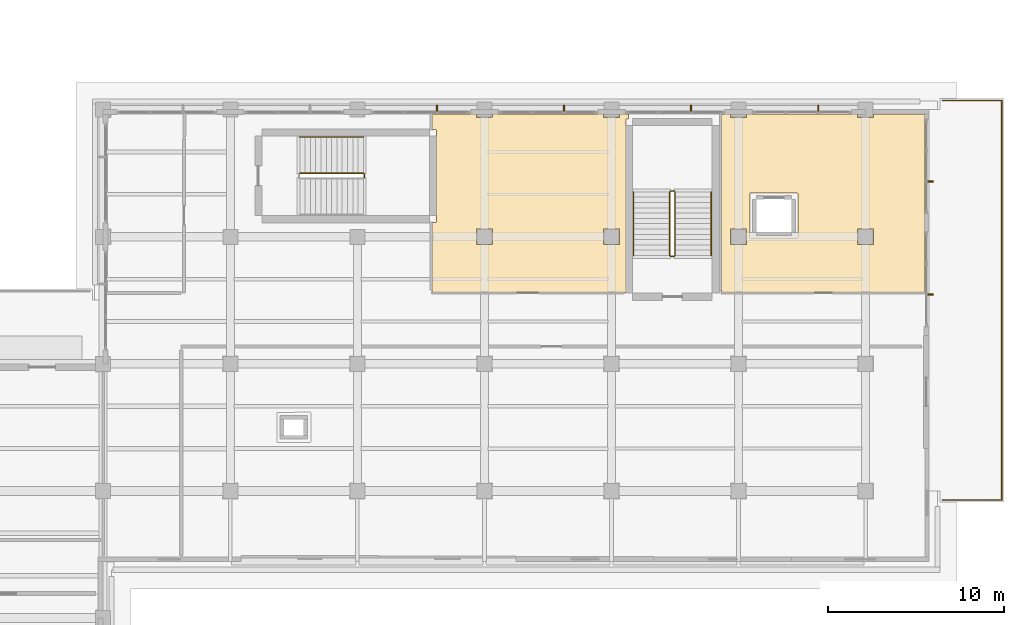
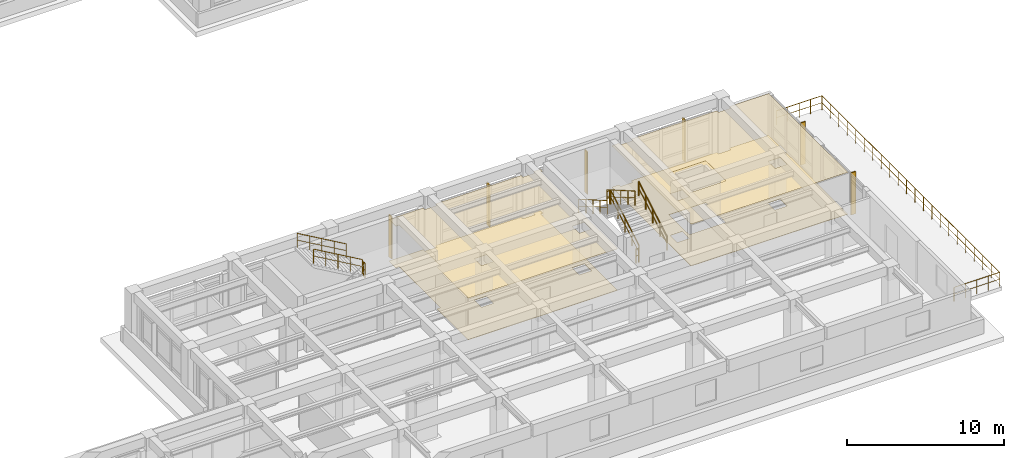
# One storey, part 97 of 98: 12 railings, 6 shading devices, 4 coverings.
"""IFC4 building model written with IfcOpenShell, lengths in metres."""

from ifc_helpers import new_model, si_unit, direction, frame, origin, origin_2d, place, context, subcontext, project, spatial, polyline, rectangle, circle, outline, extrude, material, layer, layer_set, material_profile, profile_set, type_object, element, save


model = new_model("IFC4")

# Units and contexts
model_context = context("Model", 3, precision=1e-05, world=origin(), true_north=direction((0.0, 1.0)))
body_context = subcontext(model_context, "Body", "Model", "MODEL_VIEW")
ifc_project = project(units=[si_unit("LENGTHUNIT", "METRE"), si_unit("AREAUNIT", "SQUARE_METRE"), si_unit("VOLUMEUNIT", "CUBIC_METRE"), si_unit("PLANEANGLEUNIT", "RADIAN"), si_unit("MASSUNIT", "GRAM", prefix="KILO")], contexts=[model_context])

# Site, building, storey
site_placement = place(None, origin())
site = spatial("IfcSite", under=ifc_project, at=site_placement, CompositionType="ELEMENT")
building_placement = place(site_placement, origin())
building = spatial("IfcBuilding", under=site, at=building_placement, Name="Solenvale Faculty of Natural Sciences", CompositionType="ELEMENT")
storey_placement = place(building_placement, frame((0.0, 0.0, 9.0)))
storey = spatial("IfcBuildingStorey", under=building, at=storey_placement, Name="L02", CompositionType="ELEMENT", Elevation=9.0)

# Coverings
ifc_material_1 = material(Name="Acoustic mineral-timber ceiling", Category="wood")
ifc_layer_1 = layer(ifc_material_1, 0.02490234375)
ifc_layer_set_1 = layer_set([ifc_layer_1], Name="Acoustic mineral-timber ceiling")
covering_type_1 = type_object("IfcCoveringType", Name="COV-CEIL-AC25", PredefinedType="CEILING", material=ifc_layer_set_1)
covering_1_placement = place(storey_placement, frame((0.0, 0.0, 3.235107421875)))
element("IfcCovering", 1, at=covering_1_placement, inside=storey, type_object=covering_type_1, Name="L02 Science Library Reference Reading Hall Acoustic Ceiling", PredefinedType="CEILING", context=body_context, shape_type="SweptSolid", body=[
    extrude(outline(polyline([(133.820068359375, 51.18994140625), (133.846923828125, 51.219970703125), (134.056884765625, 51.220947265625), (134.080078125, 51.25), (134.080078125, 56.450927734375), (134.054931640625, 56.47998046875), (133.846923828125, 56.47998046875), (133.821044921875, 56.5009765625), (133.820068359375, 57.330078125), (133.8359375, 57.35595703125), (136.322998046875, 57.360107421875), (136.34912109375, 57.3359375), (136.35009765625, 57.158935546875), (136.361083984375, 57.14990234375), (137.241943359375, 57.14990234375), (137.2509765625, 57.3359375), (137.280029296875, 57.360107421875), (143.52001953125, 57.360107421875), (143.549072265625, 57.3359375), (143.550048828125, 57.158935546875), (143.56103515625, 57.14990234375), (144.44091796875, 57.14990234375), (144.449951171875, 57.158935546875), (144.449951171875, 57.3330078125), (144.468994140625, 57.35791015625), (144.949951171875, 57.360107421875), (144.97607421875, 57.343994140625), (144.97607421875, 57.095947265625), (144.952880859375, 57.080078125), (144.842041015625, 57.0791015625), (144.820068359375, 57.050048828125), (144.820068359375, 47.27001953125), (144.803955078125, 47.243896484375), (133.839111328125, 47.241943359375), (133.820068359375, 47.27001953125), (133.820068359375, 51.18994140625)]), holes=[polyline([(143.56103515625, 50.85009765625), (143.550048828125, 50.839111328125), (143.552978515625, 49.952880859375), (144.447021484375, 49.952880859375), (144.447021484375, 50.846923828125), (143.56103515625, 50.85009765625)]), polyline([(137.25, 50.839111328125), (137.239013671875, 50.85009765625), (136.35302734375, 50.846923828125), (136.35302734375, 49.952880859375), (137.2470703125, 49.952880859375), (137.25, 50.839111328125)])]), origin(), (0.0, 0.0, 1.0), 0.02490234375),
])
covering_2_placement = place(storey_placement, frame((0.0, 0.0, 3.235107421875)))
element("IfcCovering", 2, at=covering_2_placement, inside=storey, type_object=covering_type_1, Name="L02 Faculty Staff Office Acoustic Ceiling", PredefinedType="CEILING", context=body_context, shape_type="SweptSolid", body=[
    extrude(outline(polyline([(150.25, 47.239990234375), (150.22900390625, 47.2490234375), (150.219970703125, 47.27001953125), (150.219970703125, 57.330078125), (150.23095703125, 57.35302734375), (150.73095703125, 57.35791015625), (150.75, 57.3330078125), (150.75, 57.158935546875), (150.760986328125, 57.14990234375), (151.64208984375, 57.14990234375), (151.65087890625, 57.3359375), (151.679931640625, 57.360107421875), (157.919921875, 57.360107421875), (157.948974609375, 57.3359375), (157.949951171875, 57.158935546875), (157.9609375, 57.14990234375), (158.842041015625, 57.14990234375), (158.85107421875, 57.3359375), (158.876953125, 57.360107421875), (161.72998046875, 57.360107421875), (161.7529296875, 57.34912109375), (161.760009765625, 47.27001953125), (161.7490234375, 47.2470703125), (150.25, 47.239990234375)]), holes=[polyline([(158.85009765625, 50.839111328125), (158.839111328125, 50.85009765625), (157.952880859375, 50.846923828125), (157.952880859375, 49.952880859375), (158.846923828125, 49.952880859375), (158.85009765625, 50.839111328125)]), polyline([(154.554931640625, 52.85205078125), (154.544921875, 52.8720703125), (154.52490234375, 52.8798828125), (151.85498046875, 52.8720703125), (151.844970703125, 52.85009765625), (151.85302734375, 50.330078125), (151.875, 50.320068359375), (154.544921875, 50.327880859375), (154.554931640625, 50.35009765625), (154.554931640625, 52.85205078125)]), polyline([(150.760986328125, 50.85009765625), (150.75, 50.839111328125), (150.7529296875, 49.952880859375), (151.64697265625, 49.952880859375), (151.64697265625, 50.846923828125), (150.760986328125, 50.85009765625)])]), origin(), (0.0, 0.0, 1.0), 0.02490234375),
])
ifc_material_2 = material(Name="Polished slate terrazzo flooring", Category="masonry")
ifc_layer_2 = layer(ifc_material_2, 0.01806640625)
ifc_layer_set_2 = layer_set([ifc_layer_2], Name="Polished slate terrazzo flooring")
covering_type_2 = type_object("IfcCoveringType", Name="COV-FLR-TRZ18", PredefinedType="FLOORING", material=ifc_layer_set_2)
covering_3_placement = place(storey_placement, origin())
element("IfcCovering", 3, at=covering_3_placement, inside=storey, type_object=covering_type_2, Name="L02 Science Library Reference Reading Hall Floor Finish", PredefinedType="FLOORING", context=body_context, shape_type="SweptSolid", body=[
    extrude(outline(polyline([(133.820068359375, 51.18994140625), (133.846923828125, 51.219970703125), (134.056884765625, 51.220947265625), (134.080078125, 51.25), (134.080078125, 56.450927734375), (134.054931640625, 56.47998046875), (133.846923828125, 56.47998046875), (133.821044921875, 56.5009765625), (133.820068359375, 57.330078125), (133.8359375, 57.35595703125), (136.322998046875, 57.360107421875), (136.34912109375, 57.3359375), (136.35009765625, 57.158935546875), (136.361083984375, 57.14990234375), (137.241943359375, 57.14990234375), (137.2509765625, 57.3359375), (137.280029296875, 57.360107421875), (143.52001953125, 57.360107421875), (143.549072265625, 57.3359375), (143.550048828125, 57.158935546875), (143.56103515625, 57.14990234375), (144.44091796875, 57.14990234375), (144.449951171875, 57.158935546875), (144.449951171875, 57.3330078125), (144.468994140625, 57.35791015625), (144.949951171875, 57.360107421875), (144.97607421875, 57.343994140625), (144.97607421875, 57.095947265625), (144.952880859375, 57.080078125), (144.842041015625, 57.0791015625), (144.820068359375, 57.050048828125), (144.820068359375, 47.27001953125), (144.803955078125, 47.243896484375), (133.839111328125, 47.241943359375), (133.820068359375, 47.27001953125), (133.820068359375, 51.18994140625)]), holes=[polyline([(143.56103515625, 50.85009765625), (143.550048828125, 50.839111328125), (143.552978515625, 49.952880859375), (144.447021484375, 49.952880859375), (144.447021484375, 50.846923828125), (143.56103515625, 50.85009765625)]), polyline([(137.25, 50.839111328125), (137.239013671875, 50.85009765625), (136.35302734375, 50.846923828125), (136.35302734375, 49.952880859375), (137.2470703125, 49.952880859375), (137.25, 50.839111328125)])]), origin(), (0.0, 0.0, 1.0), 0.01806640625),
])
covering_4_placement = place(storey_placement, origin())
element("IfcCovering", 4, at=covering_4_placement, inside=storey, type_object=covering_type_2, Name="L02 Faculty Staff Office Floor Finish", PredefinedType="FLOORING", context=body_context, shape_type="SweptSolid", body=[
    extrude(outline(polyline([(150.25, 47.239990234375), (150.22900390625, 47.2490234375), (150.219970703125, 47.27001953125), (150.219970703125, 57.330078125), (150.23095703125, 57.35302734375), (150.73095703125, 57.35791015625), (150.75, 57.3330078125), (150.75, 57.158935546875), (150.760986328125, 57.14990234375), (151.64208984375, 57.14990234375), (151.65087890625, 57.3359375), (151.679931640625, 57.360107421875), (157.919921875, 57.360107421875), (157.948974609375, 57.3359375), (157.949951171875, 57.158935546875), (157.9609375, 57.14990234375), (158.842041015625, 57.14990234375), (158.85107421875, 57.3359375), (158.876953125, 57.360107421875), (161.72998046875, 57.360107421875), (161.7529296875, 57.34912109375), (161.760009765625, 47.27001953125), (161.7490234375, 47.2470703125), (150.25, 47.239990234375)]), holes=[polyline([(158.85009765625, 50.839111328125), (158.839111328125, 50.85009765625), (157.952880859375, 50.846923828125), (157.952880859375, 49.952880859375), (158.846923828125, 49.952880859375), (158.85009765625, 50.839111328125)]), polyline([(154.554931640625, 52.85205078125), (154.544921875, 52.8720703125), (154.52490234375, 52.8798828125), (151.85498046875, 52.8720703125), (151.844970703125, 52.85009765625), (151.85302734375, 50.330078125), (151.875, 50.320068359375), (154.544921875, 50.327880859375), (154.554931640625, 50.35009765625), (154.554931640625, 52.85205078125)]), polyline([(150.760986328125, 50.85009765625), (150.75, 50.839111328125), (150.7529296875, 49.952880859375), (151.64697265625, 49.952880859375), (151.64697265625, 50.846923828125), (150.760986328125, 50.85009765625)])]), origin(), (0.0, 0.0, 1.0), 0.01806640625),
])

# Railings
ifc_material_3 = material(Name="Stainless steel Grade 304", Category="steel")
railing_type_1 = type_object("IfcRailingType", Name="RL-GRD-1100", PredefinedType="GUARDRAIL", material=ifc_material_3)
railing_1_placement = place(storey_placement, frame((147.60009765625, 49.340087890625, 0.173095703125)))
element("IfcRailing", 5, at=railing_1_placement, inside=storey, type_object=railing_type_1, Name="L02 ST-02 stair guard 1", PredefinedType="GUARDRAIL", context=body_context, shape_type="SweptSolid", body=[
    extrude(circle(Radius=0.02392578125, at=origin_2d()), frame((0.0, 0.0, 1.09619140625), z_axis=(0.0, 0.866178740119, 0.499734319579), x_axis=(-1.0, 0.0, 0.0)), (0.0, 0.0, 1.0), 4.156005859375),
    extrude(circle(Radius=0.01611328125, at=origin_2d()), frame((0.0, 0.0, 0.56005859375), z_axis=(0.0, 0.866178740119, 0.499734319579), x_axis=(-1.0, 0.0, 0.0)), (0.0, 0.0, 1.0), 4.156005859375),
    extrude(circle(Radius=0.02099609375, at=origin_2d()), origin(), (0.0, 0.0, 1.0), 1.072021484375),
    extrude(circle(Radius=0.02099609375, at=origin_2d()), frame((0.0, 0.89990234375, 0.519287109375)), (0.0, 0.0, 1.0), 1.072021484375),
    extrude(circle(Radius=0.02099609375, at=origin_2d()), frame((0.0, 1.7998046875, 1.03857421875)), (0.0, 0.0, 1.0), 1.072021484375),
    extrude(circle(Radius=0.02099609375, at=origin_2d()), frame((0.0, 2.699951171875, 1.5576171875)), (0.0, 0.0, 1.0), 1.072021484375),
    extrude(circle(Radius=0.02099609375, at=origin_2d()), frame((0.0, 3.599853515625, 2.076904296875)), (0.0, 0.0, 1.0), 1.072021484375),
])
railing_2_placement = place(storey_placement, frame((147.550048828125, 52.989990234375, 2.25)))
element("IfcRailing", 6, at=railing_2_placement, inside=storey, type_object=railing_type_1, Name="L02 ST-02 stair guard 2", PredefinedType="GUARDRAIL", context=body_context, shape_type="SweptSolid", body=[
    extrude(circle(Radius=0.02392578125, at=origin_2d()), frame((0.0, 0.0, 1.09619140625), z_axis=(-1.0, 0.0, 0.0), x_axis=(0.0, -1.0, 0.0)), (0.0, 0.0, 1.0), 0.199951171875),
    extrude(circle(Radius=0.01611328125, at=origin_2d()), frame((0.0, 0.0, 0.56005859375), z_axis=(-1.0, 0.0, 0.0), x_axis=(0.0, -1.0, 0.0)), (0.0, 0.0, 1.0), 0.199951171875),
    extrude(circle(Radius=0.02099609375, at=origin_2d()), origin(), (0.0, 0.0, 1.0), 1.072021484375),
    extrude(circle(Radius=0.02099609375, at=origin_2d()), frame((-0.199951171875, 0.0, 0.0)), (0.0, 0.0, 1.0), 1.072021484375),
])
railing_3_placement = place(storey_placement, frame((147.300048828125, 52.93994140625, 2.423095703125)))
element("IfcRailing", 7, at=railing_3_placement, inside=storey, type_object=railing_type_1, Name="L02 ST-02 stair guard 3", PredefinedType="GUARDRAIL", context=body_context, shape_type="SweptSolid", body=[
    extrude(circle(Radius=0.02392578125, at=origin_2d()), frame((0.0, 0.0, 1.09619140625), z_axis=(0.0, -0.866178740119, 0.499734319579), x_axis=(1.0, 0.0, 0.0)), (0.0, 0.0, 1.0), 4.156005859375),
    extrude(circle(Radius=0.01611328125, at=origin_2d()), frame((0.0, 0.0, 0.56005859375), z_axis=(0.0, -0.866178740119, 0.499734319579), x_axis=(1.0, 0.0, 0.0)), (0.0, 0.0, 1.0), 4.156005859375),
    extrude(circle(Radius=0.02099609375, at=origin_2d()), origin(), (0.0, 0.0, 1.0), 1.072021484375),
    extrude(circle(Radius=0.02099609375, at=origin_2d()), frame((0.0, -0.89990234375, 0.519287109375)), (0.0, 0.0, 1.0), 1.072021484375),
    extrude(circle(Radius=0.02099609375, at=origin_2d()), frame((0.0, -1.7998046875, 1.03857421875)), (0.0, 0.0, 1.0), 1.072021484375),
    extrude(circle(Radius=0.02099609375, at=origin_2d()), frame((0.0, -2.699951171875, 1.5576171875)), (0.0, 0.0, 1.0), 1.072021484375),
    extrude(circle(Radius=0.02099609375, at=origin_2d()), frame((0.0, -3.599853515625, 2.076904296875)), (0.0, 0.0, 1.0), 1.072021484375),
])
railing_4_placement = place(storey_placement, frame((147.550048828125, 49.2900390625, 0.0)))
element("IfcRailing", 8, at=railing_4_placement, inside=storey, type_object=railing_type_1, Name="L02 ST-02 stair guard 4", PredefinedType="GUARDRAIL", context=body_context, shape_type="SweptSolid", body=[
    extrude(circle(Radius=0.02392578125, at=origin_2d()), frame((0.0, 0.0, 1.09619140625), z_axis=(-1.0, 0.0, 0.0), x_axis=(0.0, -1.0, 0.0)), (0.0, 0.0, 1.0), 0.199951171875),
    extrude(circle(Radius=0.01611328125, at=origin_2d()), frame((0.0, 0.0, 0.56005859375), z_axis=(-1.0, 0.0, 0.0), x_axis=(0.0, -1.0, 0.0)), (0.0, 0.0, 1.0), 0.199951171875),
    extrude(circle(Radius=0.02099609375, at=origin_2d()), origin(), (0.0, 0.0, 1.0), 1.072021484375),
    extrude(circle(Radius=0.02099609375, at=origin_2d()), frame((-0.199951171875, 0.0, 0.0)), (0.0, 0.0, 1.0), 1.072021484375),
])
railing_5_placement = place(storey_placement, frame((129.989990234375, 53.75, 2.25)))
element("IfcRailing", 9, at=railing_5_placement, inside=storey, type_object=railing_type_1, Name="L02 ST-08 stair guard 2", PredefinedType="GUARDRAIL", context=body_context, shape_type="SweptSolid", body=[
    extrude(circle(Radius=0.02392578125, at=origin_2d()), frame((0.0, 0.0, 1.09619140625), z_axis=(0.0, 1.0, 0.0), x_axis=(-1.0, 0.0, 0.0)), (0.0, 0.0, 1.0), 0.199951171875),
    extrude(circle(Radius=0.01611328125, at=origin_2d()), frame((0.0, 0.0, 0.56005859375), z_axis=(0.0, 1.0, 0.0), x_axis=(-1.0, 0.0, 0.0)), (0.0, 0.0, 1.0), 0.199951171875),
    extrude(circle(Radius=0.02099609375, at=origin_2d()), origin(), (0.0, 0.0, 1.0), 1.072021484375),
    extrude(circle(Radius=0.02099609375, at=origin_2d()), frame((0.0, 0.199951171875, 0.0)), (0.0, 0.0, 1.0), 1.072021484375),
])
railing_6_placement = place(storey_placement, frame((129.93994140625, 54.0, 2.423095703125)))
element("IfcRailing", 10, at=railing_6_placement, inside=storey, type_object=railing_type_1, Name="L02 ST-08 stair guard 3", PredefinedType="GUARDRAIL", context=body_context, shape_type="SweptSolid", body=[
    extrude(circle(Radius=0.02392578125, at=origin_2d()), frame((0.0, 0.0, 1.09619140625), z_axis=(-0.866178740119, 0.0, 0.499734319579), x_axis=(0.0, -1.0, 0.0)), (0.0, 0.0, 1.0), 4.156005859375),
    extrude(circle(Radius=0.01611328125, at=origin_2d()), frame((0.0, 0.0, 0.56005859375), z_axis=(-0.866178740119, 0.0, 0.499734319579), x_axis=(0.0, -1.0, 0.0)), (0.0, 0.0, 1.0), 4.156005859375),
    extrude(circle(Radius=0.02099609375, at=origin_2d()), origin(), (0.0, 0.0, 1.0), 1.072021484375),
    extrude(circle(Radius=0.02099609375, at=origin_2d()), frame((-0.89990234375, 0.0, 0.519287109375)), (0.0, 0.0, 1.0), 1.072021484375),
    extrude(circle(Radius=0.02099609375, at=origin_2d()), frame((-1.7998046875, 0.0, 1.03857421875)), (0.0, 0.0, 1.0), 1.072021484375),
    extrude(circle(Radius=0.02099609375, at=origin_2d()), frame((-2.699951171875, 0.0, 1.5576171875)), (0.0, 0.0, 1.0), 1.072021484375),
    extrude(circle(Radius=0.02099609375, at=origin_2d()), frame((-3.599853515625, 0.0, 2.076904296875)), (0.0, 0.0, 1.0), 1.072021484375),
])
railing_type_2 = type_object("IfcRailingType", Name="RL-HND-900", PredefinedType="HANDRAIL", material=ifc_material_3)
railing_7_placement = place(storey_placement, frame((149.64990234375, 49.340087890625, 0.173095703125)))
element("IfcRailing", 11, at=railing_7_placement, inside=storey, type_object=railing_type_2, Name="L02 ST-02 stair handrail 1", PredefinedType="HANDRAIL", context=body_context, shape_type="SweptSolid", body=[
    extrude(circle(Radius=0.02392578125, at=origin_2d()), frame((0.0, 0.0, 1.0732421875), z_axis=(0.0, 0.866178740119, 0.499734319579), x_axis=(-1.0, 0.0, 0.0)), (0.0, 0.0, 1.0), 4.156005859375),
    extrude(circle(Radius=0.01611328125, at=origin_2d()), frame((0.0, 0.0, 0.548583984375), z_axis=(0.0, 0.866178740119, 0.499734319579), x_axis=(-1.0, 0.0, 0.0)), (0.0, 0.0, 1.0), 4.156005859375),
    extrude(circle(Radius=0.02099609375, at=origin_2d()), origin(), (0.0, 0.0, 1.0), 1.049072265625),
    extrude(circle(Radius=0.02099609375, at=origin_2d()), frame((0.0, 0.89990234375, 0.519287109375)), (0.0, 0.0, 1.0), 1.049072265625),
    extrude(circle(Radius=0.02099609375, at=origin_2d()), frame((0.0, 1.7998046875, 1.03857421875)), (0.0, 0.0, 1.0), 1.049072265625),
    extrude(circle(Radius=0.02099609375, at=origin_2d()), frame((0.0, 2.699951171875, 1.5576171875)), (0.0, 0.0, 1.0), 1.049072265625),
    extrude(circle(Radius=0.02099609375, at=origin_2d()), frame((0.0, 3.599853515625, 2.076904296875)), (0.0, 0.0, 1.0), 1.049072265625),
])
railing_8_placement = place(storey_placement, frame((145.25, 52.93994140625, 2.423095703125)))
element("IfcRailing", 12, at=railing_8_placement, inside=storey, type_object=railing_type_2, Name="L02 ST-02 stair handrail 2", PredefinedType="HANDRAIL", context=body_context, shape_type="SweptSolid", body=[
    extrude(circle(Radius=0.02392578125, at=origin_2d()), frame((0.0, 0.0, 1.0732421875), z_axis=(0.0, -0.866178740119, 0.499734319579), x_axis=(1.0, 0.0, 0.0)), (0.0, 0.0, 1.0), 4.156005859375),
    extrude(circle(Radius=0.01611328125, at=origin_2d()), frame((0.0, 0.0, 0.548583984375), z_axis=(0.0, -0.866178740119, 0.499734319579), x_axis=(1.0, 0.0, 0.0)), (0.0, 0.0, 1.0), 4.156005859375),
    extrude(circle(Radius=0.02099609375, at=origin_2d()), origin(), (0.0, 0.0, 1.0), 1.049072265625),
    extrude(circle(Radius=0.02099609375, at=origin_2d()), frame((0.0, -0.89990234375, 0.519287109375)), (0.0, 0.0, 1.0), 1.049072265625),
    extrude(circle(Radius=0.02099609375, at=origin_2d()), frame((0.0, -1.7998046875, 1.03857421875)), (0.0, 0.0, 1.0), 1.049072265625),
    extrude(circle(Radius=0.02099609375, at=origin_2d()), frame((0.0, -2.699951171875, 1.5576171875)), (0.0, 0.0, 1.0), 1.049072265625),
    extrude(circle(Radius=0.02099609375, at=origin_2d()), frame((0.0, -3.599853515625, 2.076904296875)), (0.0, 0.0, 1.0), 1.049072265625),
])
railing_9_placement = place(storey_placement, frame((129.93994140625, 56.050048828125, 2.423095703125)))
element("IfcRailing", 13, at=railing_9_placement, inside=storey, type_object=railing_type_2, Name="L02 ST-08 stair handrail 2", PredefinedType="HANDRAIL", context=body_context, shape_type="SweptSolid", body=[
    extrude(circle(Radius=0.02392578125, at=origin_2d()), frame((0.0, 0.0, 1.0732421875), z_axis=(-0.866178740119, 0.0, 0.499734319579), x_axis=(0.0, -1.0, 0.0)), (0.0, 0.0, 1.0), 4.156005859375),
    extrude(circle(Radius=0.01611328125, at=origin_2d()), frame((0.0, 0.0, 0.548583984375), z_axis=(-0.866178740119, 0.0, 0.499734319579), x_axis=(0.0, -1.0, 0.0)), (0.0, 0.0, 1.0), 4.156005859375),
    extrude(circle(Radius=0.02099609375, at=origin_2d()), origin(), (0.0, 0.0, 1.0), 1.049072265625),
    extrude(circle(Radius=0.02099609375, at=origin_2d()), frame((-0.89990234375, 0.0, 0.519287109375)), (0.0, 0.0, 1.0), 1.049072265625),
    extrude(circle(Radius=0.02099609375, at=origin_2d()), frame((-1.7998046875, 0.0, 1.03857421875)), (0.0, 0.0, 1.0), 1.049072265625),
    extrude(circle(Radius=0.02099609375, at=origin_2d()), frame((-2.699951171875, 0.0, 1.5576171875)), (0.0, 0.0, 1.0), 1.049072265625),
    extrude(circle(Radius=0.02099609375, at=origin_2d()), frame((-3.599853515625, 0.0, 2.076904296875)), (0.0, 0.0, 1.0), 1.049072265625),
])
railing_type_3 = type_object("IfcRailingType", Name="RL-TERR-1100", PredefinedType="GUARDRAIL", material=ifc_material_3)
railing_10_placement = place(storey_placement, frame((166.1201171875, 35.47998046875, 0.0)))
element("IfcRailing", 14, at=railing_10_placement, inside=storey, type_object=railing_type_3, Name="L02 Terrace Guardrail 2.1", PredefinedType="GUARDRAIL", context=body_context, shape_type="SweptSolid", body=[
    extrude(circle(Radius=0.02392578125, at=origin_2d()), frame((0.0, 0.0, 1.09619140625), z_axis=(-1.0, 0.0, 0.0), x_axis=(0.0, -1.0, 0.0)), (0.0, 0.0, 1.0), 3.360107421875),
    extrude(circle(Radius=0.01611328125, at=origin_2d()), frame((0.0, 0.0, 0.56005859375), z_axis=(-1.0, 0.0, 0.0), x_axis=(0.0, -1.0, 0.0)), (0.0, 0.0, 1.0), 3.360107421875),
    extrude(circle(Radius=0.02099609375, at=origin_2d()), origin(), (0.0, 0.0, 1.0), 1.072021484375),
    extrude(circle(Radius=0.02099609375, at=origin_2d()), frame((-0.840087890625, 0.0, 0.0)), (0.0, 0.0, 1.0), 1.072021484375),
    extrude(circle(Radius=0.02099609375, at=origin_2d()), frame((-1.68017578125, 0.0, 0.0)), (0.0, 0.0, 1.0), 1.072021484375),
    extrude(circle(Radius=0.02099609375, at=origin_2d()), frame((-2.52001953125, 0.0, 0.0)), (0.0, 0.0, 1.0), 1.072021484375),
    extrude(circle(Radius=0.02099609375, at=origin_2d()), frame((-3.360107421875, 0.0, 0.0)), (0.0, 0.0, 1.0), 1.072021484375),
])
railing_11_placement = place(storey_placement, frame((162.760009765625, 58.1201171875, 0.0)))
element("IfcRailing", 15, at=railing_11_placement, inside=storey, type_object=railing_type_3, Name="L02 Terrace Guardrail 2.3", PredefinedType="GUARDRAIL", context=body_context, shape_type="SweptSolid", body=[
    extrude(circle(Radius=0.02392578125, at=origin_2d()), frame((0.0, 0.0, 1.09619140625), z_axis=(1.0, 0.0, 0.0), x_axis=(0.0, 1.0, 0.0)), (0.0, 0.0, 1.0), 3.360107421875),
    extrude(circle(Radius=0.01611328125, at=origin_2d()), frame((0.0, 0.0, 0.56005859375), z_axis=(1.0, 0.0, 0.0), x_axis=(0.0, 1.0, 0.0)), (0.0, 0.0, 1.0), 3.360107421875),
    extrude(circle(Radius=0.02099609375, at=origin_2d()), origin(), (0.0, 0.0, 1.0), 1.072021484375),
    extrude(circle(Radius=0.02099609375, at=origin_2d()), frame((0.840087890625, 0.0, 0.0)), (0.0, 0.0, 1.0), 1.072021484375),
    extrude(circle(Radius=0.02099609375, at=origin_2d()), frame((1.68017578125, 0.0, 0.0)), (0.0, 0.0, 1.0), 1.072021484375),
    extrude(circle(Radius=0.02099609375, at=origin_2d()), frame((2.52001953125, 0.0, 0.0)), (0.0, 0.0, 1.0), 1.072021484375),
    extrude(circle(Radius=0.02099609375, at=origin_2d()), frame((3.360107421875, 0.0, 0.0)), (0.0, 0.0, 1.0), 1.072021484375),
])
railing_12_placement = place(storey_placement, frame((166.1201171875, 58.1201171875, 0.0)))
element("IfcRailing", 16, at=railing_12_placement, inside=storey, type_object=railing_type_3, Name="L02 Terrace Guardrail 2.4", PredefinedType="GUARDRAIL", context=body_context, shape_type="SweptSolid", body=[
    extrude(circle(Radius=0.02392578125, at=origin_2d()), frame((0.0, 0.0, 1.09619140625), z_axis=(0.0, -1.0, 0.0), x_axis=(1.0, 0.0, 0.0)), (0.0, 0.0, 1.0), 22.64013671875),
    extrude(circle(Radius=0.01611328125, at=origin_2d()), frame((0.0, 0.0, 0.56005859375), z_axis=(0.0, -1.0, 0.0), x_axis=(1.0, 0.0, 0.0)), (0.0, 0.0, 1.0), 22.64013671875),
    extrude(circle(Radius=0.02099609375, at=origin_2d()), origin(), (0.0, 0.0, 1.0), 1.072021484375),
    extrude(circle(Radius=0.02099609375, at=origin_2d()), frame((0.0, -1.078125, 0.0)), (0.0, 0.0, 1.0), 1.072021484375),
    extrude(circle(Radius=0.02099609375, at=origin_2d()), frame((0.0, -2.15625, 0.0)), (0.0, 0.0, 1.0), 1.072021484375),
    extrude(circle(Radius=0.02099609375, at=origin_2d()), frame((0.0, -3.234375, 0.0)), (0.0, 0.0, 1.0), 1.072021484375),
    extrude(circle(Radius=0.02099609375, at=origin_2d()), frame((0.0, -4.3125, 0.0)), (0.0, 0.0, 1.0), 1.072021484375),
    extrude(circle(Radius=0.02099609375, at=origin_2d()), frame((0.0, -5.390625, 0.0)), (0.0, 0.0, 1.0), 1.072021484375),
    extrude(circle(Radius=0.02099609375, at=origin_2d()), frame((0.0, -6.468505859375, 0.0)), (0.0, 0.0, 1.0), 1.072021484375),
    extrude(circle(Radius=0.02099609375, at=origin_2d()), frame((0.0, -7.546630859375, 0.0)), (0.0, 0.0, 1.0), 1.072021484375),
    extrude(circle(Radius=0.02099609375, at=origin_2d()), frame((0.0, -8.624755859375, 0.0)), (0.0, 0.0, 1.0), 1.072021484375),
    extrude(circle(Radius=0.02099609375, at=origin_2d()), frame((0.0, -9.702880859375, 0.0)), (0.0, 0.0, 1.0), 1.072021484375),
    extrude(circle(Radius=0.02099609375, at=origin_2d()), frame((0.0, -10.781005859375, 0.0)), (0.0, 0.0, 1.0), 1.072021484375),
    extrude(circle(Radius=0.02099609375, at=origin_2d()), frame((0.0, -11.859130859375, 0.0)), (0.0, 0.0, 1.0), 1.072021484375),
    extrude(circle(Radius=0.02099609375, at=origin_2d()), frame((0.0, -12.937255859375, 0.0)), (0.0, 0.0, 1.0), 1.072021484375),
    extrude(circle(Radius=0.02099609375, at=origin_2d()), frame((0.0, -14.015380859375, 0.0)), (0.0, 0.0, 1.0), 1.072021484375),
    extrude(circle(Radius=0.02099609375, at=origin_2d()), frame((0.0, -15.093505859375, 0.0)), (0.0, 0.0, 1.0), 1.072021484375),
    extrude(circle(Radius=0.02099609375, at=origin_2d()), frame((0.0, -16.171630859375, 0.0)), (0.0, 0.0, 1.0), 1.072021484375),
    extrude(circle(Radius=0.02099609375, at=origin_2d()), frame((0.0, -17.24951171875, 0.0)), (0.0, 0.0, 1.0), 1.072021484375),
    extrude(circle(Radius=0.02099609375, at=origin_2d()), frame((0.0, -18.32763671875, 0.0)), (0.0, 0.0, 1.0), 1.072021484375),
    extrude(circle(Radius=0.02099609375, at=origin_2d()), frame((0.0, -19.40576171875, 0.0)), (0.0, 0.0, 1.0), 1.072021484375),
    extrude(circle(Radius=0.02099609375, at=origin_2d()), frame((0.0, -20.48388671875, 0.0)), (0.0, 0.0, 1.0), 1.072021484375),
    extrude(circle(Radius=0.02099609375, at=origin_2d()), frame((0.0, -21.56201171875, 0.0)), (0.0, 0.0, 1.0), 1.072021484375),
    extrude(circle(Radius=0.02099609375, at=origin_2d()), frame((0.0, -22.64013671875, 0.0)), (0.0, 0.0, 1.0), 1.072021484375),
])

# Shading devices
ifc_material_4 = material(Name="Anodised bronze aluminium", Category="aluminium")
ifc_material_profile = material_profile(ifc_material_4, rectangle(XDim=0.080078125, YDim=0.360107421875, at=origin_2d()), Name="ALU-FIN-80x360")
ifc_profile_set = profile_set([ifc_material_profile], Name="Anodised bronze aluminium")
shading_device_type = type_object("IfcShadingDeviceType", Name="SHD-FIN-360", PredefinedType="JALOUSIE", material=ifc_profile_set)
for number, where, z_axis, x_axis, name in (
    (17, (162.06005859375, 47.126708984375, -0.02001953125), (0.0, 0.0, 1.0), (0.0, 1.0, 0.0), "L02 Vertical Brise-Soleil Fin 3.3"),
    (18, (162.06005859375, 53.526611328125, -0.02001953125), (0.0, 0.0, 1.0), (0.0, 1.0, 0.0), "L02 Vertical Brise-Soleil Fin 3.4"),
    (19, (155.716552734375, 57.659912109375, -0.02001953125), (0.0, 0.0, 1.0), (1.0, 0.0, 0.0), "L02 Vertical Brise-Soleil Fin 4.2"),
    (20, (148.5166015625, 57.659912109375, -0.02001953125), (0.0, 0.0, 1.0), (1.0, 0.0, 0.0), "L02 Vertical Brise-Soleil Fin 4.3"),
    (21, (141.316650390625, 57.659912109375, -0.02001953125), (0.0, 0.0, 1.0), (1.0, 0.0, 0.0), "L02 Vertical Brise-Soleil Fin 4.4"),
    (22, (134.11669921875, 57.659912109375, -0.02001953125), (0.0, 0.0, 1.0), (1.0, 0.0, 0.0), "L02 Vertical Brise-Soleil Fin 4.5"),
):
    element("IfcShadingDevice", number, at=place(storey_placement, frame(where, z_axis=z_axis, x_axis=x_axis)), inside=storey, type_object=shading_device_type, Name=name, PredefinedType="JALOUSIE", context=body_context, shape_type="SweptSolid", body=[
        extrude(rectangle(XDim=0.080078125, YDim=0.360107421875, at=origin_2d()), origin(), (0.0, 0.0, 1.0), 3.280029296875),
    ])

save(model, "model.ifc")
